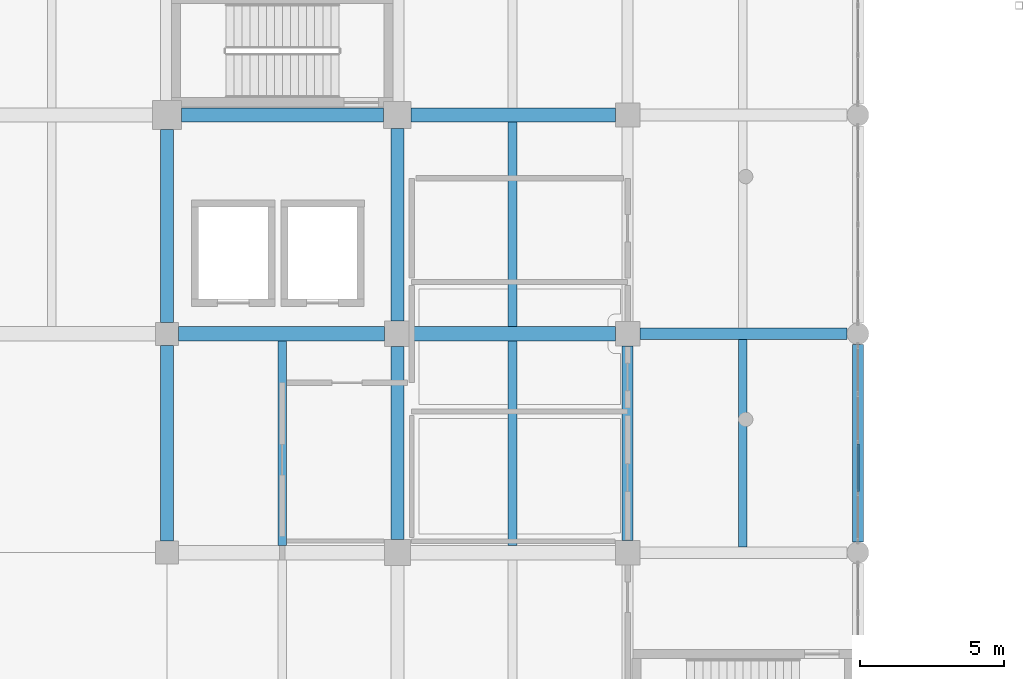
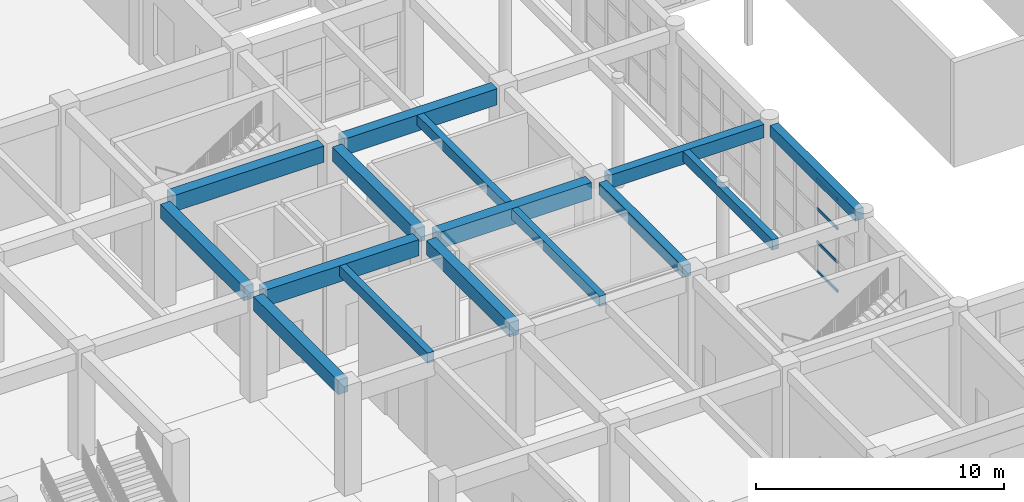
# One storey, part 35 of 95: 15 beams, 4 members, 1 element without a shape of its own.
"""IFC4 building model written with IfcOpenShell, lengths in metres."""

from ifc_helpers import new_model, si_unit, direction, frame, origin, origin_2d, place, context, subcontext, project, spatial, rectangle, hollow_rectangle, extrude, material, material_profile, profile_set, type_object, element, aggregate, save


model = new_model("IFC4")

# Units and contexts
model_context = context("Model", 3, precision=1e-05, world=origin(), true_north=direction((0.0, 1.0)))
body_context = subcontext(model_context, "Body", "Model", "MODEL_VIEW")
ifc_project = project(units=[si_unit("LENGTHUNIT", "METRE"), si_unit("AREAUNIT", "SQUARE_METRE"), si_unit("VOLUMEUNIT", "CUBIC_METRE"), si_unit("PLANEANGLEUNIT", "RADIAN"), si_unit("MASSUNIT", "GRAM", prefix="KILO")], contexts=[model_context])

# Site, building, storey
site_placement = place(None, origin())
site = spatial("IfcSite", under=ifc_project, at=site_placement, CompositionType="ELEMENT")
building_placement = place(site_placement, origin())
building = spatial("IfcBuilding", under=site, at=building_placement, Name="Zantavel Square City Hall", CompositionType="ELEMENT")
storey_placement = place(building_placement, origin())
storey = spatial("IfcBuildingStorey", under=building, at=storey_placement, Name="L01", CompositionType="ELEMENT", Elevation=0.0)

# Beams
ifc_material_1 = material(Name="Concrete C35/45", Category="concrete")
ifc_material_profile_1 = material_profile(ifc_material_1, rectangle(XDim=0.3798828125, YDim=0.580078125, at=origin_2d()), Name="RC 380x580")
ifc_profile_set_1 = profile_set([ifc_material_profile_1], Name="Concrete C35/45")
beam_type_1 = type_object("IfcBeamType", Name="Annex Secondary Beam RC 380x580 C35/45", PredefinedType="BEAM", material=ifc_profile_set_1)
beam_1_placement = place(storey_placement, frame((112.0, 46.02490234375, 4.8701171875), z_axis=(0.0, 1.0, 0.0), x_axis=(-1.0, 0.0, 0.0)))
element("IfcBeam", 1, at=beam_1_placement, inside=storey, type_object=beam_type_1, Name="L01 Beam BMY-L01-1120-0456", PredefinedType="BEAM", context=body_context, shape_type="SweptSolid", body=[
    extrude(rectangle(XDim=0.3798828125, YDim=0.580078125, at=origin_2d()), origin(), (0.0, 0.0, 1.0), 6.75),
])
beam_2_placement = place(storey_placement, frame((120.0, 45.97509765625, 4.8701171875), z_axis=(0.0, 1.0, 0.0), x_axis=(-1.0, 0.0, 0.0)))
element("IfcBeam", 2, at=beam_2_placement, inside=storey, type_object=beam_type_1, Name="L01 Beam BMY-L01-1200-0456", PredefinedType="BEAM", context=body_context, shape_type="SweptSolid", body=[
    extrude(rectangle(XDim=0.3798828125, YDim=0.580078125, at=origin_2d()), origin(), (0.0, 0.0, 1.0), 6.849853515625),
])

# Curtain wall, members
ifc_material_2 = material(Name="Anodised aluminium 6063-T6", Category="aluminium")
curtain_wall_type = type_object("IfcCurtainWallType", Name="Curtain Wall CRT 6850x4580", PredefinedType="USERDEFINED", material=ifc_material_2)
curtain_wall_placement = place(storey_placement, origin())
curtain_wall = element("IfcCurtainWall", 3, at=curtain_wall_placement, inside=storey, type_object=curtain_wall_type, Name="L01 Glazed Curtain Wall CW-L01-025", ObjectType="GLAZED CURTAIN WALL", PredefinedType="USERDEFINED")
ifc_material_profile_2 = material_profile(ifc_material_2, hollow_rectangle(XDim=0.06005859375, YDim=0.139892578125, WallThickness=0.00390625, at=origin_2d()), Name="ALU 60x140x4")
ifc_profile_set_2 = profile_set([ifc_material_profile_2], Name="Anodised aluminium 6063-T6")
member_type = type_object("IfcMemberType", Name="CW Transom ALU 60x140x4", PredefinedType="USERDEFINED", material=ifc_profile_set_2)
member_1_placement = place(storey_placement, frame((120.0, 49.3701171875, 0.030029296875), z_axis=(0.0, -1.0, 0.0), x_axis=(1.0, 0.0, 0.0)))
member_1 = element("IfcMember", 4, at=member_1_placement, type_object=member_type, Name="CW-025 transom 3.1", ObjectType="TRANSOM", PredefinedType="USERDEFINED", context=body_context, shape_type="SweptSolid", body=[
    extrude(hollow_rectangle(XDim=0.06005859375, YDim=0.139892578125, WallThickness=0.00390625, at=origin_2d()), origin(), (0.0, 0.0, 1.0), 1.652587890625),
])
member_2_placement = place(storey_placement, frame((120.0, 49.3701171875, 1.466064453125), z_axis=(0.0, -1.0, 0.0), x_axis=(1.0, 0.0, 0.0)))
member_2 = element("IfcMember", 5, at=member_2_placement, type_object=member_type, Name="CW-025 transom 3.2", ObjectType="TRANSOM", PredefinedType="USERDEFINED", context=body_context, shape_type="SweptSolid", body=[
    extrude(hollow_rectangle(XDim=0.06005859375, YDim=0.139892578125, WallThickness=0.00390625, at=origin_2d()), origin(), (0.0, 0.0, 1.0), 1.652587890625),
])
member_3_placement = place(storey_placement, frame((120.0, 49.3701171875, 3.114013671875), z_axis=(0.0, -1.0, 0.0), x_axis=(1.0, 0.0, 0.0)))
member_3 = element("IfcMember", 6, at=member_3_placement, type_object=member_type, Name="CW-025 transom 3.3", ObjectType="TRANSOM", PredefinedType="USERDEFINED", context=body_context, shape_type="SweptSolid", body=[
    extrude(hollow_rectangle(XDim=0.06005859375, YDim=0.139892578125, WallThickness=0.00390625, at=origin_2d()), origin(), (0.0, 0.0, 1.0), 1.652587890625),
])
member_4_placement = place(storey_placement, frame((120.0, 49.3701171875, 4.550048828125), z_axis=(0.0, -1.0, 0.0), x_axis=(1.0, 0.0, 0.0)))
member_4 = element("IfcMember", 7, at=member_4_placement, type_object=member_type, Name="CW-025 transom 3.4", ObjectType="TRANSOM", PredefinedType="USERDEFINED", context=body_context, shape_type="SweptSolid", body=[
    extrude(hollow_rectangle(XDim=0.06005859375, YDim=0.139892578125, WallThickness=0.00390625, at=origin_2d()), origin(), (0.0, 0.0, 1.0), 1.652587890625),
])
aggregate(curtain_wall, [member_1, member_2, member_3, member_4])

# Beams
ifc_material_profile_3 = material_profile(ifc_material_1, rectangle(XDim=0.300048828125, YDim=0.5, at=origin_2d()), Name="RC 300x500")
ifc_profile_set_3 = profile_set([ifc_material_profile_3], Name="Concrete C35/45")
beam_type_2 = type_object("IfcBeamType", Name="Floor Joist RC 300x500 C35/45", PredefinedType="JOIST", material=ifc_profile_set_3)
for number, where, z_axis, x_axis, name in (
    (8, (100.0, 45.85009765625, 4.909912109375), (0.0, 1.0, 0.0), (-1.0, 0.0, 0.0), "L01 Floor Joist JST-L01-1000-0456"),
    (9, (108.0, 45.85009765625, 4.909912109375), (0.0, 1.0, 0.0), (-1.0, 0.0, 0.0), "L01 Floor Joist JST-L01-1080-0456"),
):
    element("IfcBeam", number, at=place(storey_placement, frame(where, z_axis=z_axis, x_axis=x_axis)), inside=storey, type_object=beam_type_2, Name=name, PredefinedType="JOIST", context=body_context, shape_type="SweptSolid", body=[
        extrude(rectangle(XDim=0.300048828125, YDim=0.5, at=origin_2d()), origin(), (0.0, 0.0, 1.0), 7.099853515625),
    ])
beam_3_placement = place(storey_placement, frame((108.0, 53.449951171875, 4.909912109375), z_axis=(0.0, 1.0, 0.0), x_axis=(-1.0, 0.0, 0.0)))
element("IfcBeam", 10, at=beam_3_placement, inside=storey, type_object=beam_type_2, Name="L01 Floor Joist JST-L01-1080-0532", PredefinedType="JOIST", context=body_context, shape_type="SweptSolid", body=[
    extrude(rectangle(XDim=0.300048828125, YDim=0.5, at=origin_2d()), origin(), (0.0, 0.0, 1.0), 7.10009765625),
])
beam_4_placement = place(storey_placement, frame((116.0, 45.800048828125, 4.909912109375), z_axis=(0.0, 1.0, 0.0), x_axis=(-1.0, 0.0, 0.0)))
element("IfcBeam", 11, at=beam_4_placement, inside=storey, type_object=beam_type_2, Name="L01 Floor Joist JST-L01-1160-0456", PredefinedType="JOIST", context=body_context, shape_type="SweptSolid", body=[
    extrude(rectangle(XDim=0.300048828125, YDim=0.5, at=origin_2d()), origin(), (0.0, 0.0, 1.0), 7.199951171875),
])
ifc_material_profile_4 = material_profile(ifc_material_1, rectangle(XDim=0.39990234375, YDim=0.64990234375, at=origin_2d()), Name="RC 400x650")
ifc_profile_set_4 = profile_set([ifc_material_profile_4], Name="Concrete C35/45")
beam_type_3 = type_object("IfcBeamType", Name="Frame Beam RC 400x650 C35/45", PredefinedType="BEAM", material=ifc_profile_set_4)
beam_5_placement = place(storey_placement, frame((112.425048828125, 53.199951171875, 4.8349609375), z_axis=(1.0, 0.0, 0.0), x_axis=(0.0, 1.0, 0.0)))
element("IfcBeam", 12, at=beam_5_placement, inside=storey, type_object=beam_type_3, Name="L01 Girder BMX-L01-1120-0532", PredefinedType="BEAM", context=body_context, shape_type="SweptSolid", body=[
    extrude(rectangle(XDim=0.39990234375, YDim=0.64990234375, at=origin_2d()), origin(), (0.0, 0.0, 1.0), 7.199951171875),
])
ifc_material_profile_5 = material_profile(ifc_material_1, rectangle(XDim=0.449951171875, YDim=0.699951171875, at=origin_2d()), Name="RC 450x700")
ifc_profile_set_5 = profile_set([ifc_material_profile_5], Name="Concrete C35/45")
beam_type_4 = type_object("IfcBeamType", Name="Primary Girder RC 450x700 C35/45", PredefinedType="BEAM", material=ifc_profile_set_5)
beam_6_placement = place(storey_placement, frame((96.0, 46.0, 4.81005859375), z_axis=(0.0, 1.0, 0.0), x_axis=(-1.0, 0.0, 0.0)))
element("IfcBeam", 13, at=beam_6_placement, inside=storey, type_object=beam_type_4, Name="L01 Beam BMY-L01-0960-0456", PredefinedType="BEAM", context=body_context, shape_type="SweptSolid", body=[
    extrude(rectangle(XDim=0.449951171875, YDim=0.699951171875, at=origin_2d()), origin(), (0.0, 0.0, 1.0), 6.800048828125),
])
for number, where, z_axis, x_axis, name in (
    (14, (96.0, 53.60009765625, 4.81005859375), (0.0, 1.0, 0.0), (-1.0, 0.0, 0.0), "L01 Beam BMY-L01-0960-0532"),
    (15, (104.0, 46.050048828125, 4.81005859375), (0.0, 1.0, 0.0), (-1.0, 0.0, 0.0), "L01 Beam BMY-L01-1040-0456"),
):
    element("IfcBeam", number, at=place(storey_placement, frame(where, z_axis=z_axis, x_axis=x_axis)), inside=storey, type_object=beam_type_4, Name=name, PredefinedType="BEAM", context=body_context, shape_type="SweptSolid", body=[
        extrude(rectangle(XDim=0.449951171875, YDim=0.699951171875, at=origin_2d()), origin(), (0.0, 0.0, 1.0), 6.699951171875),
    ])
beam_7_placement = place(storey_placement, frame((104.0, 53.64990234375, 4.81005859375), z_axis=(0.0, 1.0, 0.0), x_axis=(-1.0, 0.0, 0.0)))
element("IfcBeam", 16, at=beam_7_placement, inside=storey, type_object=beam_type_4, Name="L01 Beam BMY-L01-1040-0532", PredefinedType="BEAM", context=body_context, shape_type="SweptSolid", body=[
    extrude(rectangle(XDim=0.449951171875, YDim=0.699951171875, at=origin_2d()), origin(), (0.0, 0.0, 1.0), 6.675048828125),
])
ifc_material_profile_6 = material_profile(ifc_material_1, rectangle(XDim=0.5, YDim=0.800048828125, at=origin_2d()), Name="RC 500x800")
ifc_profile_set_6 = profile_set([ifc_material_profile_6], Name="Concrete C35/45")
beam_type_5 = type_object("IfcBeamType", Name="Primary Girder RC 500x800 C35/45", PredefinedType="BEAM", material=ifc_profile_set_6)
beam_8_placement = place(storey_placement, frame((96.39990234375, 53.199951171875, 4.760009765625), z_axis=(1.0, 0.0, 0.0), x_axis=(0.0, 1.0, 0.0)))
element("IfcBeam", 17, at=beam_8_placement, inside=storey, type_object=beam_type_5, Name="L01 Girder BMX-L01-0960-0532", PredefinedType="BEAM", context=body_context, shape_type="SweptSolid", body=[
    extrude(rectangle(XDim=0.5, YDim=0.800048828125, at=origin_2d()), origin(), (0.0, 0.0, 1.0), 7.150146484375),
])
beam_9_placement = place(storey_placement, frame((96.5, 60.800048828125, 4.760009765625), z_axis=(1.0, 0.0, 0.0), x_axis=(0.0, 1.0, 0.0)))
element("IfcBeam", 18, at=beam_9_placement, inside=storey, type_object=beam_type_5, Name="L01 Girder BMX-L01-0960-0608", PredefinedType="BEAM", context=body_context, shape_type="SweptSolid", body=[
    extrude(rectangle(XDim=0.5, YDim=0.800048828125, at=origin_2d()), origin(), (0.0, 0.0, 1.0), 7.02490234375),
])
beam_10_placement = place(storey_placement, frame((104.449951171875, 53.199951171875, 4.760009765625), z_axis=(1.0, 0.0, 0.0), x_axis=(0.0, 1.0, 0.0)))
element("IfcBeam", 19, at=beam_10_placement, inside=storey, type_object=beam_type_5, Name="L01 Girder BMX-L01-1040-0532", PredefinedType="BEAM", context=body_context, shape_type="SweptSolid", body=[
    extrude(rectangle(XDim=0.5, YDim=0.800048828125, at=origin_2d()), origin(), (0.0, 0.0, 1.0), 7.125),
])
beam_11_placement = place(storey_placement, frame((104.47509765625, 60.800048828125, 4.760009765625), z_axis=(1.0, 0.0, 0.0), x_axis=(0.0, 1.0, 0.0)))
element("IfcBeam", 20, at=beam_11_placement, inside=storey, type_object=beam_type_5, Name="L01 Girder BMX-L01-1040-0608", PredefinedType="BEAM", context=body_context, shape_type="SweptSolid", body=[
    extrude(rectangle(XDim=0.5, YDim=0.800048828125, at=origin_2d()), origin(), (0.0, 0.0, 1.0), 7.099853515625),
])

save(model, "model.ifc")
